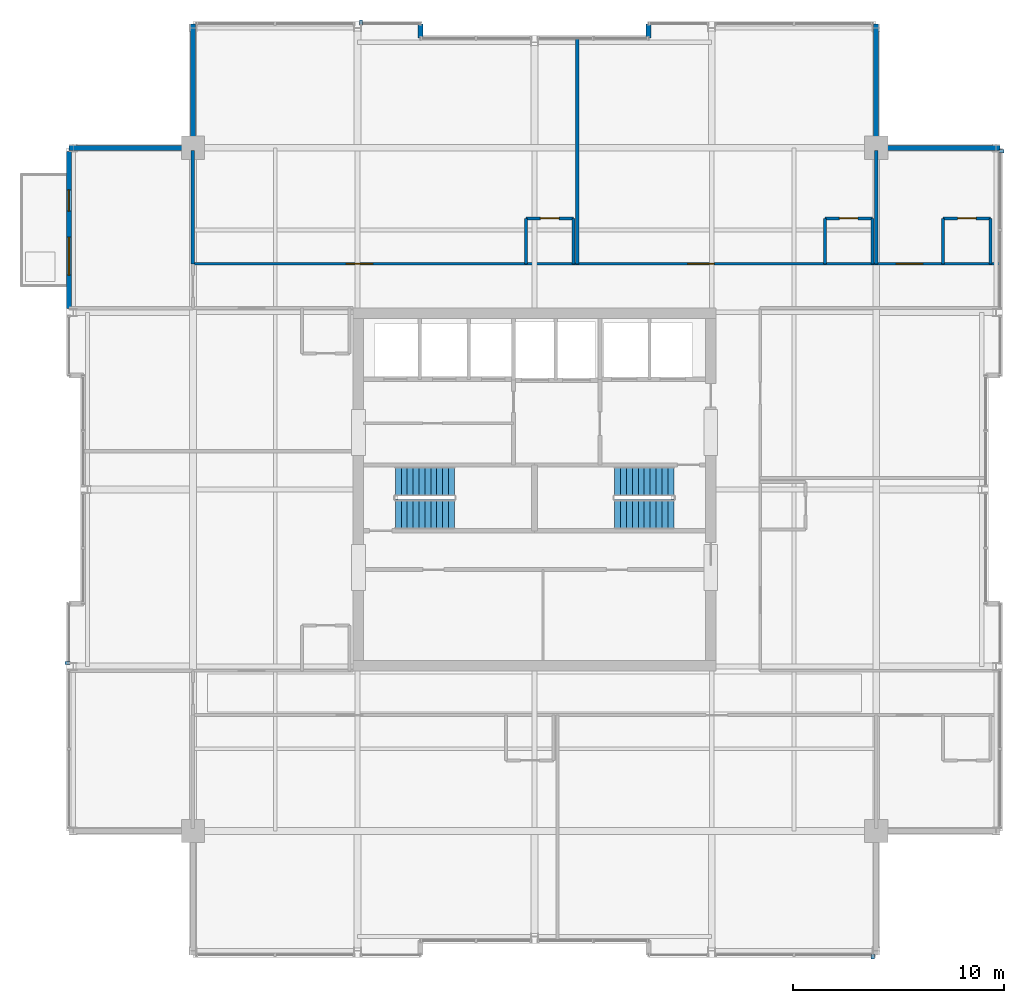
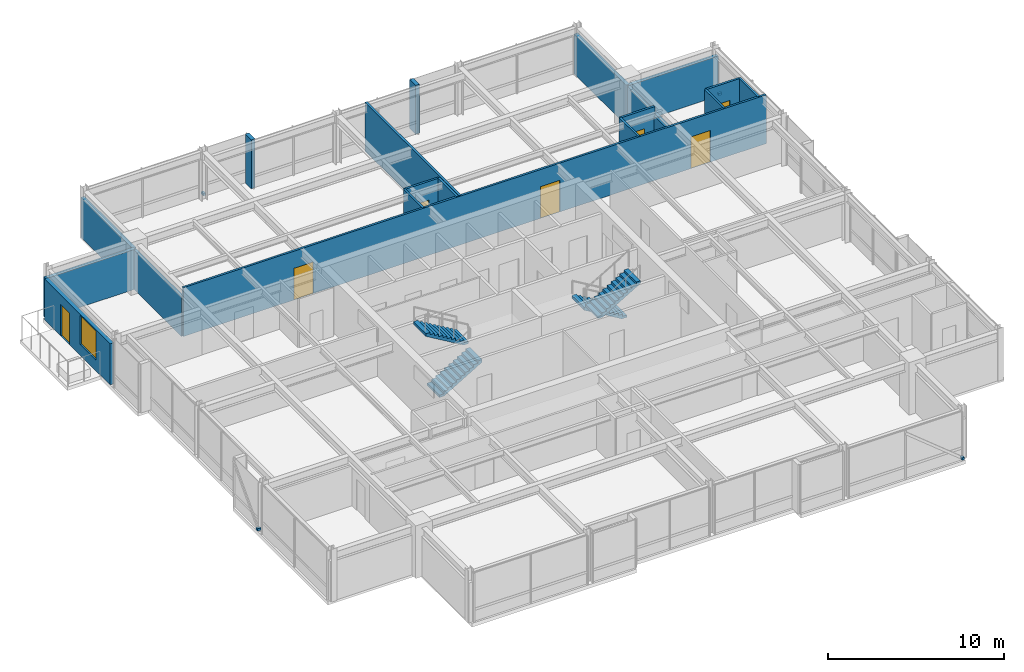
# One storey, part 30 of 33: 20 walls, 7 doors, 4 discrete accessories, 4 stair flights, 1 window, 8 openings, 2 elements without a shape of their own.
"""IFC4 building model written with IfcOpenShell, lengths in metres."""

from ifc_helpers import new_model, si_unit, direction, frame, frame_2d, origin, origin_2d, place, context, subcontext, project, spatial, polyline, rectangle, outline, extrude, material, layer, layer_set, type_object, element, fill, aggregate, save


model = new_model("IFC4")

# Units and contexts
model_context = context("Model", 3, precision=1e-05, world=origin(), true_north=direction((0.0, 1.0)))
body_context = subcontext(model_context, "Body", "Model", "MODEL_VIEW")
ifc_project = project(units=[si_unit("LENGTHUNIT", "METRE"), si_unit("AREAUNIT", "SQUARE_METRE"), si_unit("VOLUMEUNIT", "CUBIC_METRE"), si_unit("PLANEANGLEUNIT", "RADIAN"), si_unit("MASSUNIT", "GRAM", prefix="KILO")], contexts=[model_context])

# Site, building, storey
site_placement = place(None, origin())
site = spatial("IfcSite", under=ifc_project, at=site_placement, CompositionType="ELEMENT")
building_placement = place(site_placement, origin())
building = spatial("IfcBuilding", under=site, at=building_placement, Name="Drelvath Grand Hotel", CompositionType="ELEMENT")
storey_placement = place(building_placement, frame((0.0, 0.0, 275.949951171875)))
storey = spatial("IfcBuildingStorey", under=building, at=storey_placement, Name="L72", CompositionType="ELEMENT", Elevation=275.949951171875)

# Wall, openings, doors
ifc_material_1 = material(Name="Gypsum Fireboard Partition")
ifc_layer_1 = layer(ifc_material_1, 0.135009765625)
ifc_layer_set_1 = layer_set([ifc_layer_1], Name="Gypsum Fireboard Partition")
wall_type_1 = type_object("IfcWallType", Name="Corridor Fire Barrier Wall 135", PredefinedType="PARTITIONING", material=ifc_layer_set_1)
wall_1_placement = place(storey_placement, frame((-16.199951171875, 37.699951171875, 0.0), z_axis=(0.0, 0.0, 1.0), x_axis=(1.0, 0.0, 0.0)))
wall_1 = element("IfcWall", 1, at=wall_1_placement, inside=storey, type_object=wall_type_1, Name="L72 North Cross-Gallery Wall", PredefinedType="PARTITIONING", context=body_context, shape_type="SweptSolid", body=[
    extrude(rectangle(XDim=38.280029296875, YDim=0.135009765625, at=frame_2d((19.14013671875, 0.0))), origin(), (0.0, 0.0, 1.0), 3.39013671875),
])
opening_1_placement = place(wall_1_placement, frame((33.35498046875, 0.0, 0.0)))
opening_1 = element("IfcOpeningElement", 2, at=opening_1_placement, cuts=wall_1, Name="Opening D-T5G2-022", PredefinedType="OPENING", context=body_context, shape_type="SweptSolid", body=[
    extrude(rectangle(XDim=1.260009765625, YDim=2.199951171875, at=frame_2d((0.6298828125, 1.10009765625))), frame((0.0, 0.077392578125, 0.0), z_axis=(0.0, -1.0, 0.0), x_axis=(1.0, 0.0, 0.0)), (0.0, 0.0, 1.0), 0.155029296875),
])
opening_2_placement = place(wall_1_placement, frame((7.267578125, 0.0, 0.0)))
opening_2 = element("IfcOpeningElement", 3, at=opening_2_placement, cuts=wall_1, Name="Opening D-T5G2-027", PredefinedType="OPENING", context=body_context, shape_type="SweptSolid", body=[
    extrude(rectangle(XDim=1.260009765625, YDim=2.199951171875, at=frame_2d((0.6298828125, 1.10009765625))), frame((0.0, 0.077392578125, 0.0), z_axis=(0.0, -1.0, 0.0), x_axis=(1.0, 0.0, 0.0)), (0.0, 0.0, 1.0), 0.155029296875),
])
opening_3_placement = place(wall_1_placement, frame((23.467529296875, 0.0, 0.0)))
opening_3 = element("IfcOpeningElement", 4, at=opening_3_placement, cuts=wall_1, Name="Opening D-T5G2-029", PredefinedType="OPENING", context=body_context, shape_type="SweptSolid", body=[
    extrude(rectangle(XDim=1.260009765625, YDim=2.199951171875, at=frame_2d((0.6298828125, 1.10009765625))), frame((0.0, 0.077392578125, 0.0), z_axis=(0.0, -1.0, 0.0), x_axis=(1.0, 0.0, 0.0)), (0.0, 0.0, 1.0), 0.155029296875),
])
ifc_material_2 = material(Name="Hardwood Walnut Timber", Category="wood")
door_type_1 = type_object("IfcDoorType", Name="Suite Entrance Fire Door 1260x2200", OperationType="NOTDEFINED", PredefinedType="DOOR", material=ifc_material_2)
door_1_placement = place(opening_1_placement, origin())
door_1 = element("IfcDoor", 5, at=door_1_placement, inside=storey, type_object=door_type_1, Name="L72 Royal Suite Entry Door", OperationType="SINGLE_SWING_LEFT", OverallHeight=2.199951171875, OverallWidth=1.260009765625, PredefinedType="DOOR", context=body_context, shape_type="SweptSolid", body=[
    extrude(rectangle(XDim=1.260009765625, YDim=2.199951171875, at=frame_2d((0.6298828125, 1.10009765625))), frame((0.0, 0.02490234375, 0.0), z_axis=(0.0, -1.0, 0.0), x_axis=(1.0, 0.0, 0.0)), (0.0, 0.0, 1.0), 0.050048828125),
])
fill(opening_1, door_1)
door_2_placement = place(opening_2_placement, origin())
door_2 = element("IfcDoor", 6, at=door_2_placement, inside=storey, type_object=door_type_1, Name="L72 Royal Suite Entry Door", OperationType="SINGLE_SWING_RIGHT", OverallHeight=2.199951171875, OverallWidth=1.260009765625, PredefinedType="DOOR", context=body_context, shape_type="SweptSolid", body=[
    extrude(rectangle(XDim=1.260009765625, YDim=2.199951171875, at=frame_2d((0.6298828125, 1.10009765625))), frame((0.0, 0.02490234375, 0.0), z_axis=(0.0, -1.0, 0.0), x_axis=(1.0, 0.0, 0.0)), (0.0, 0.0, 1.0), 0.050048828125),
])
fill(opening_2, door_2)
door_3_placement = place(opening_3_placement, origin())
door_3 = element("IfcDoor", 7, at=door_3_placement, inside=storey, type_object=door_type_1, Name="L72 Royal Suite Entry Door", OperationType="SINGLE_SWING_RIGHT", OverallHeight=2.199951171875, OverallWidth=1.260009765625, PredefinedType="DOOR", context=body_context, shape_type="SweptSolid", body=[
    extrude(rectangle(XDim=1.260009765625, YDim=2.199951171875, at=frame_2d((0.6298828125, 1.10009765625))), frame((0.0, 0.02490234375, 0.0), z_axis=(0.0, -1.0, 0.0), x_axis=(1.0, 0.0, 0.0)), (0.0, 0.0, 1.0), 0.050048828125),
])
fill(opening_3, door_3)

# Walls
ifc_material_3 = material(Name="Moisture-Resistant Gypsum Board")
ifc_layer_2 = layer(ifc_material_3, 0.139892578125)
ifc_layer_set_2 = layer_set([ifc_layer_2], Name="Moisture-Resistant Gypsum Board")
wall_type_2 = type_object("IfcWallType", Name="En-Suite Plumbing Wall 140", PredefinedType="PLUMBINGWALL", material=ifc_layer_set_2)
for number, where, z_axis, x_axis, name in (
    (8, (19.3701171875, 37.699951171875, 0.0), (0.0, 0.0, 1.0), (0.0, 1.0, 0.0), "L72 En-Suite Left Wall"),
    (9, (21.6201171875, 37.699951171875, 0.0), (0.0, 0.0, 1.0), (0.0, 1.0, 0.0), "L72 En-Suite Right Wall"),
):
    element("IfcWall", number, at=place(storey_placement, frame(where, z_axis=z_axis, x_axis=x_axis)), inside=storey, type_object=wall_type_2, Name=name, PredefinedType="PLUMBINGWALL", context=body_context, shape_type="SweptSolid", body=[
        extrude(rectangle(XDim=2.150146484375, YDim=0.139892578125, at=frame_2d((1.0751953125, 0.0))), origin(), (0.0, 0.0, 1.0), 3.39013671875),
    ])

# Wall, opening, door
wall_2_placement = place(storey_placement, frame((19.3701171875, 39.85009765625, 0.0), z_axis=(0.0, 0.0, 1.0), x_axis=(1.0, 0.0, 0.0)))
wall_2 = element("IfcWall", 10, at=wall_2_placement, inside=storey, type_object=wall_type_2, Name="L72 En-Suite Front Wall", PredefinedType="PLUMBINGWALL", context=body_context, shape_type="SweptSolid", body=[
    extrude(rectangle(XDim=2.25, YDim=0.139892578125, at=frame_2d((1.125, 0.0))), origin(), (0.0, 0.0, 1.0), 3.39013671875),
])
opening_4_placement = place(wall_2_placement, frame((0.68505859375, 0.0, 0.0)))
opening_4 = element("IfcOpeningElement", 11, at=opening_4_placement, cuts=wall_2, Name="Opening D-T5G2-021", PredefinedType="OPENING", context=body_context, shape_type="SweptSolid", body=[
    extrude(rectangle(XDim=0.8798828125, YDim=2.10009765625, at=frame_2d((0.43994140625, 1.050048828125))), frame((0.0, 0.079833984375, 0.0), z_axis=(0.0, -1.0, 0.0), x_axis=(1.0, 0.0, 0.0)), (0.0, 0.0, 1.0), 0.159912109375),
])
door_type_2 = type_object("IfcDoorType", Name="En-Suite Bathroom Door 880x2100", OperationType="NOTDEFINED", PredefinedType="DOOR", material=ifc_material_2)
door_4_placement = place(opening_4_placement, origin())
door_4 = element("IfcDoor", 12, at=door_4_placement, inside=storey, type_object=door_type_2, Name="L72 En-Suite Bathroom Door", OperationType="SINGLE_SWING_RIGHT", OverallHeight=2.10009765625, OverallWidth=0.8798828125, PredefinedType="DOOR", context=body_context, shape_type="SweptSolid", body=[
    extrude(rectangle(XDim=0.8798828125, YDim=2.10009765625, at=frame_2d((0.43994140625, 1.050048828125))), frame((0.0, 0.02490234375, 0.0), z_axis=(0.0, -1.0, 0.0), x_axis=(1.0, 0.0, 0.0)), (0.0, 0.0, 1.0), 0.050048828125),
])
fill(opening_4, door_4)

# Walls
for number, where, z_axis, x_axis, name in (
    (13, (-0.405029296875, 37.699951171875, 0.0), (0.0, 0.0, 1.0), (0.0, 1.0, 0.0), "L72 En-Suite Left Wall"),
    (14, (1.844970703125, 37.699951171875, 0.0), (0.0, 0.0, 1.0), (0.0, 1.0, 0.0), "L72 En-Suite Right Wall"),
):
    element("IfcWall", number, at=place(storey_placement, frame(where, z_axis=z_axis, x_axis=x_axis)), inside=storey, type_object=wall_type_2, Name=name, PredefinedType="PLUMBINGWALL", context=body_context, shape_type="SweptSolid", body=[
        extrude(rectangle(XDim=2.150146484375, YDim=0.139892578125, at=frame_2d((1.0751953125, 0.0))), origin(), (0.0, 0.0, 1.0), 3.39013671875),
    ])

# Wall, opening, door
wall_3_placement = place(storey_placement, frame((-0.405029296875, 39.85009765625, 0.0), z_axis=(0.0, 0.0, 1.0), x_axis=(1.0, 0.0, 0.0)))
wall_3 = element("IfcWall", 15, at=wall_3_placement, inside=storey, type_object=wall_type_2, Name="L72 En-Suite Front Wall", PredefinedType="PLUMBINGWALL", context=body_context, shape_type="SweptSolid", body=[
    extrude(rectangle(XDim=2.25, YDim=0.139892578125, at=frame_2d((1.125, 0.0))), origin(), (0.0, 0.0, 1.0), 3.39013671875),
])
opening_5_placement = place(wall_3_placement, frame((0.68505859375, 0.0, 0.0)))
opening_5 = element("IfcOpeningElement", 16, at=opening_5_placement, cuts=wall_3, Name="Opening D-T5G2-026", PredefinedType="OPENING", context=body_context, shape_type="SweptSolid", body=[
    extrude(rectangle(XDim=0.8798828125, YDim=2.10009765625, at=frame_2d((0.43994140625, 1.050048828125))), frame((0.0, 0.079833984375, 0.0), z_axis=(0.0, -1.0, 0.0), x_axis=(1.0, 0.0, 0.0)), (0.0, 0.0, 1.0), 0.159912109375),
])
door_5_placement = place(opening_5_placement, origin())
door_5 = element("IfcDoor", 17, at=door_5_placement, inside=storey, type_object=door_type_2, Name="L72 En-Suite Bathroom Door", OperationType="SINGLE_SWING_LEFT", OverallHeight=2.10009765625, OverallWidth=0.8798828125, PredefinedType="DOOR", context=body_context, shape_type="SweptSolid", body=[
    extrude(rectangle(XDim=0.8798828125, YDim=2.10009765625, at=frame_2d((0.43994140625, 1.050048828125))), frame((0.0, 0.02490234375, 0.0), z_axis=(0.0, -1.0, 0.0), x_axis=(1.0, 0.0, 0.0)), (0.0, 0.0, 1.0), 0.050048828125),
])
fill(opening_5, door_5)

# Walls
wall_4_placement = place(storey_placement, frame((13.77001953125, 37.699951171875, 0.0), z_axis=(0.0, 0.0, 1.0), x_axis=(0.0, 1.0, 0.0)))
element("IfcWall", 18, at=wall_4_placement, inside=storey, type_object=wall_type_2, Name="L72 En-Suite Left Wall", PredefinedType="PLUMBINGWALL", context=body_context, shape_type="SweptSolid", body=[
    extrude(rectangle(XDim=2.150146484375, YDim=0.139892578125, at=frame_2d((1.0751953125, 0.0))), origin(), (0.0, 0.0, 1.0), 3.39013671875),
])
wall_5_placement = place(storey_placement, frame((16.02001953125, 37.699951171875, 0.0), z_axis=(0.0, 0.0, 1.0), x_axis=(0.0, 1.0, 0.0)))
element("IfcWall", 19, at=wall_5_placement, inside=storey, type_object=wall_type_2, Name="L72 En-Suite Right Wall", PredefinedType="PLUMBINGWALL", context=body_context, shape_type="SweptSolid", body=[
    extrude(rectangle(XDim=2.150146484375, YDim=0.139892578125, at=frame_2d((1.0751953125, 0.0))), origin(), (0.0, 0.0, 1.0), 2.763916015625),
])

# Wall, opening, door
wall_6_placement = place(storey_placement, frame((13.77001953125, 39.85009765625, 0.0), z_axis=(0.0, 0.0, 1.0), x_axis=(1.0, 0.0, 0.0)))
wall_6 = element("IfcWall", 20, at=wall_6_placement, inside=storey, type_object=wall_type_2, Name="L72 En-Suite Front Wall", PredefinedType="PLUMBINGWALL", context=body_context, shape_type="SweptSolid", body=[
    extrude(rectangle(XDim=2.25, YDim=0.139892578125, at=frame_2d((1.125, 0.0))), origin(), (0.0, 0.0, 1.0), 3.39013671875),
])
opening_6_placement = place(wall_6_placement, frame((0.68505859375, 0.0, 0.0)))
opening_6 = element("IfcOpeningElement", 21, at=opening_6_placement, cuts=wall_6, Name="Opening D-T5G2-028", PredefinedType="OPENING", context=body_context, shape_type="SweptSolid", body=[
    extrude(rectangle(XDim=0.8798828125, YDim=2.10009765625, at=frame_2d((0.43994140625, 1.050048828125))), frame((0.0, 0.079833984375, 0.0), z_axis=(0.0, -1.0, 0.0), x_axis=(1.0, 0.0, 0.0)), (0.0, 0.0, 1.0), 0.159912109375),
])
door_6_placement = place(opening_6_placement, origin())
door_6 = element("IfcDoor", 22, at=door_6_placement, inside=storey, type_object=door_type_2, Name="L72 En-Suite Bathroom Door", OperationType="SINGLE_SWING_LEFT", OverallHeight=2.10009765625, OverallWidth=0.8798828125, PredefinedType="DOOR", context=body_context, shape_type="SweptSolid", body=[
    extrude(rectangle(XDim=0.8798828125, YDim=2.10009765625, at=frame_2d((0.43994140625, 1.050048828125))), frame((0.0, 0.02490234375, 0.0), z_axis=(0.0, -1.0, 0.0), x_axis=(1.0, 0.0, 0.0)), (0.0, 0.0, 1.0), 0.050048828125),
])
fill(opening_6, door_6)

# Walls
ifc_material_4 = material(Name="Gypsum Acoustic Partition")
ifc_layer_3 = layer(ifc_material_4, 0.14990234375)
ifc_layer_set_3 = layer_set([ifc_layer_3], Name="Gypsum Acoustic Partition")
wall_type_3 = type_object("IfcWallType", Name="Guestroom Demising Wall 150", PredefinedType="PARTITIONING", material=ifc_layer_set_3)
wall_7_placement = place(storey_placement, frame((2.02490234375, 37.699951171875, 0.0), z_axis=(0.0, 0.0, 1.0), x_axis=(0.0, 1.0, 0.0)))
element("IfcWall", 23, at=wall_7_placement, inside=storey, type_object=wall_type_3, Name="L72 North Demising 1", PredefinedType="PARTITIONING", context=body_context, shape_type="SweptSolid", body=[
    extrude(rectangle(XDim=10.699951171875, YDim=0.14990234375, at=frame_2d((5.35009765625, 0.0))), origin(), (0.0, 0.0, 1.0), 3.39013671875),
])
ifc_layer_4 = layer(ifc_material_4, 0.1650390625)
ifc_layer_set_4 = layer_set([ifc_layer_4], Name="Gypsum Acoustic Partition")
wall_type_4 = type_object("IfcWallType", Name="Suite Demising Wall 165", PredefinedType="PARTITIONING", material=ifc_layer_set_4)
for number, where, z_axis, x_axis, name in (
    (24, (-16.199951171875, 37.699951171875, 0.0), (0.0, 0.0, 1.0), (0.0, 1.0, 0.0), "L72 NW Suite Wall"),
    (25, (16.199951171875, 37.699951171875, 0.0), (0.0, 0.0, 1.0), (0.0, 1.0, 0.0), "L72 NE Suite Wall"),
):
    element("IfcWall", number, at=place(storey_placement, frame(where, z_axis=z_axis, x_axis=x_axis)), inside=storey, type_object=wall_type_4, Name=name, PredefinedType="PARTITIONING", context=body_context, shape_type="SweptSolid", body=[
        extrude(rectangle(XDim=5.380126953125, YDim=0.1650390625, at=frame_2d((2.68994140625, 0.0))), origin(), (0.0, 0.0, 1.0), 2.763916015625),
    ])

# Wall, openings, window, door
ifc_material_5 = material(Name="Pale-Metal Insulated Aluminium Spandrel Assembly", Category="aluminium")
ifc_layer_5 = layer(ifc_material_5, 0.239990234375)
ifc_layer_set_5 = layer_set([ifc_layer_5], Name="Pale-Metal Insulated Aluminium Spandrel Assembly")
wall_type_5 = type_object("IfcWallType", Name="Tower Insulated Metal Spandrel Closure Wall 240", PredefinedType="STANDARD", material=ifc_layer_set_5)
wall_8_placement = place(storey_placement, frame((-22.080078125, 35.570068359375, 0.0), z_axis=(0.0, 0.0, 1.0), x_axis=(0.0, 1.0, 0.0)))
wall_8 = element("IfcWall", 26, at=wall_8_placement, inside=storey, type_object=wall_type_5, Name="L72 Exterior Terrace Door Bay Wall WN2", PredefinedType="STANDARD", context=body_context, shape_type="SweptSolid", body=[
    extrude(rectangle(XDim=7.4599609375, YDim=0.239990234375, at=frame_2d((3.72998046875, 0.0))), origin(), (0.0, 0.0, 1.0), 2.853271484375),
])
opening_7_placement = place(wall_8_placement, frame((4.6298828125, 0.0, 0.0)))
opening_7 = element("IfcOpeningElement", 27, at=opening_7_placement, cuts=wall_8, Name="Opening TD-1000", PredefinedType="OPENING", context=body_context, shape_type="SweptSolid", body=[
    extrude(rectangle(XDim=1.0, YDim=2.199951171875, at=frame_2d((0.5, 1.10009765625))), frame((0.0, 0.1298828125, 0.0), z_axis=(0.0, -1.0, 0.0), x_axis=(1.0, 0.0, 0.0)), (0.0, 0.0, 1.0), 0.260009765625),
])
opening_8_placement = place(wall_8_placement, frame((1.591552734375, 0.0, 0.75)))
opening_8 = element("IfcOpeningElement", 28, at=opening_8_placement, cuts=wall_8, Name="Opening W-02", PredefinedType="OPENING", context=body_context, shape_type="SweptSolid", body=[
    extrude(rectangle(XDim=1.800048828125, YDim=2.003173828125, at=frame_2d((0.89990234375, 1.00146484375))), frame((0.0, 0.1298828125, 0.0), z_axis=(0.0, -1.0, 0.0), x_axis=(1.0, 0.0, 0.0)), (0.0, 0.0, 1.0), 0.260009765625),
])
ifc_material_6 = material(Name="Bronze Anodised Low-E Triple Glazing", Category="glass")
window_type = type_object("IfcWindowType", Name="Chicago Double-Pane Podium Window 1800x2400", PartitioningType="DOUBLE_PANEL_VERTICAL", PredefinedType="WINDOW", material=ifc_material_6)
window_placement = place(opening_8_placement, origin())
window = element("IfcWindow", 29, at=window_placement, inside=storey, type_object=window_type, Name="L72 Terrace Bay Companion Window WN2", OverallHeight=2.003173828125, OverallWidth=1.800048828125, PartitioningType="SINGLE_PANEL", PredefinedType="WINDOW", context=body_context, shape_type="SweptSolid", body=[
    extrude(rectangle(XDim=1.800048828125, YDim=2.003173828125, at=frame_2d((0.89990234375, 1.00146484375))), frame((0.0, 0.030029296875, 0.0), z_axis=(0.0, -1.0, 0.0), x_axis=(1.0, 0.0, 0.0)), (0.0, 0.0, 1.0), 0.06005859375),
])
fill(opening_8, window)
ifc_material_7 = material(Name="Anodised Aluminium Thermally Broken Glazed Door", Category="aluminium")
door_type_3 = type_object("IfcDoorType", Name="Terrace and Tree Balcony Glazed Door 1000x2200", OperationType="NOTDEFINED", PredefinedType="DOOR", material=ifc_material_7)
door_7_placement = place(opening_7_placement, origin())
door_7 = element("IfcDoor", 30, at=door_7_placement, inside=storey, type_object=door_type_3, Name="L72 Tree Balcony Door DOOR-L72-TBAL-1", OperationType="SINGLE_SWING_RIGHT", OverallHeight=2.199951171875, OverallWidth=1.0, PredefinedType="DOOR", context=body_context, shape_type="SweptSolid", body=[
    extrude(rectangle(XDim=1.0, YDim=2.199951171875, at=frame_2d((0.5, 1.10009765625))), frame((0.0, 0.02490234375, 0.0), z_axis=(0.0, -1.0, 0.0), x_axis=(1.0, 0.0, 0.0)), (0.0, 0.0, 1.0), 0.050048828125),
])
fill(opening_7, door_7)

# Walls
for number, where, z_axis, x_axis, name in (
    (31, (-22.080078125, 43.199951171875, 0.0), (0.0, 0.0, 1.0), (1.0, 0.0, 0.0), "L72 Notched Corner Return Spandrel Wall CNW1"),
    (32, (-16.199951171875, 43.199951171875, 0.0), (0.0, 0.0, 1.0), (0.0, 1.0, 0.0), "L72 Notched Corner Return Spandrel Wall CNW2"),
    (33, (16.199951171875, 49.080078125, 0.0), (0.0, 0.0, 1.0), (0.0, -1.0, 0.0), "L72 Notched Corner Return Spandrel Wall CNE1"),
    (34, (16.199951171875, 43.199951171875, 0.0), (0.0, 0.0, 1.0), (1.0, 0.0, 0.0), "L72 Notched Corner Return Spandrel Wall CNE2"),
):
    element("IfcWall", number, at=place(storey_placement, frame(where, z_axis=z_axis, x_axis=x_axis)), inside=storey, type_object=wall_type_5, Name=name, PredefinedType="STANDARD", context=body_context, shape_type="SweptSolid", body=[
        extrude(rectangle(XDim=5.880126953125, YDim=0.239990234375, at=frame_2d((2.93994140625, 0.0))), origin(), (0.0, 0.0, 1.0), 2.779052734375),
    ])
for number, where, z_axis, x_axis, name in (
    (35, (-5.39990234375, 49.080078125, 0.0), (0.0, 0.0, 1.0), (0.0, -1.0, 0.0), "L72 Notched Corner Return Spandrel Wall RN1"),
    (36, (5.39990234375, 48.39990234375, 0.0), (0.0, 0.0, 1.0), (0.0, 1.0, 0.0), "L72 Notched Corner Return Spandrel Wall RN2"),
):
    element("IfcWall", number, at=place(storey_placement, frame(where, z_axis=z_axis, x_axis=x_axis)), inside=storey, type_object=wall_type_5, Name=name, PredefinedType="STANDARD", context=body_context, shape_type="SweptSolid", body=[
        extrude(rectangle(XDim=0.68017578125, YDim=0.239990234375, at=frame_2d((0.340087890625, 0.0))), origin(), (0.0, 0.0, 1.0), 3.39013671875),
    ])

# Stair, stair flights
ifc_material_8 = material(Name="Concrete C40/50", Category="concrete")
stair_type = type_object("IfcStairType", Name="Dogleg Exit Stair W1400-R165.9", PredefinedType="HALF_TURN_STAIR", material=ifc_material_8)
stair_1_placement = place(storey_placement, origin())
stair_1 = element("IfcStair", 37, at=stair_1_placement, inside=storey, type_object=stair_type, Name="L72 Core Exit Stair ST-1", PredefinedType="HALF_TURN_STAIR")
stair_flight_type = type_object("IfcStairFlightType", Name="Concrete Stair Flight W1400-R165.9", PredefinedType="STRAIGHT", material=ifc_material_8)
stair_flight_1_placement = place(storey_placement, frame((-6.60009765625, 25.820068359375, 0.0), z_axis=(0.0, 0.0, 1.0), x_axis=(1.0, 0.0, 0.0)))
stair_flight_1 = element("IfcStairFlight", 38, at=stair_flight_1_placement, type_object=stair_flight_type, Name="ST-1 flight 1", NumberOfRisers=11, NumberOfTreads=10, PredefinedType="STRAIGHT", RiserHeight=0.165909091, TreadLength=0.28, context=body_context, shape_type="SweptSolid", body=[
    extrude(outline(polyline([(0.0, 0.0), (0.0, 0.166015625), (0.280029296875, 0.166015625), (0.280029296875, 0.331787109375), (0.56005859375, 0.331787109375), (0.56005859375, 0.497802734375), (0.840087890625, 0.497802734375), (0.840087890625, 0.66357421875), (1.1201171875, 0.66357421875), (1.1201171875, 0.82958984375), (1.39990234375, 0.82958984375), (1.39990234375, 0.995361328125), (1.679931640625, 0.995361328125), (1.679931640625, 1.161376953125), (1.9599609375, 1.161376953125), (1.9599609375, 1.327392578125), (2.239990234375, 1.327392578125), (2.239990234375, 1.4931640625), (2.52001953125, 1.4931640625), (2.52001953125, 1.6591796875), (2.800048828125, 1.6591796875), (2.800048828125, 1.824951171875), (2.800048828125, 1.47314453125), (0.313720703125, 0.0), (0.0, 0.0)])), frame((0.0, 0.699951171875, 0.0), z_axis=(0.0, -1.0, 0.0), x_axis=(1.0, 0.0, 0.0)), (0.0, 0.0, 1.0), 1.39990234375),
])
stair_flight_2_placement = place(storey_placement, frame((-3.800048828125, 27.3798828125, 1.824951171875), z_axis=(0.0, 0.0, 1.0), x_axis=(-1.0, 0.0, 0.0)))
stair_flight_2 = element("IfcStairFlight", 39, at=stair_flight_2_placement, type_object=stair_flight_type, Name="ST-1 flight 2", NumberOfRisers=11, NumberOfTreads=10, PredefinedType="STRAIGHT", RiserHeight=0.165909091, TreadLength=0.28, context=body_context, shape_type="SweptSolid", body=[
    extrude(outline(polyline([(0.0, 0.0), (0.0, 0.166015625), (0.280029296875, 0.166015625), (0.280029296875, 0.331787109375), (0.56005859375, 0.331787109375), (0.56005859375, 0.497802734375), (0.840087890625, 0.497802734375), (0.840087890625, 0.66357421875), (1.1201171875, 0.66357421875), (1.1201171875, 0.82958984375), (1.39990234375, 0.82958984375), (1.39990234375, 0.995361328125), (1.679931640625, 0.995361328125), (1.679931640625, 1.161376953125), (1.9599609375, 1.161376953125), (1.9599609375, 1.327392578125), (2.239990234375, 1.327392578125), (2.239990234375, 1.4931640625), (2.52001953125, 1.4931640625), (2.52001953125, 1.6591796875), (2.800048828125, 1.6591796875), (2.800048828125, 1.824951171875), (2.800048828125, 1.47314453125), (0.313720703125, 0.0), (0.0, 0.0)])), frame((0.0, 0.699951171875, 0.0), z_axis=(0.0, -1.0, 0.0), x_axis=(1.0, 0.0, 0.0)), (0.0, 0.0, 1.0), 1.39990234375),
])
aggregate(stair_1, [stair_flight_1, stair_flight_2])

stair_2_placement = place(storey_placement, origin())
stair_2 = element("IfcStair", 40, at=stair_2_placement, inside=storey, type_object=stair_type, Name="L72 Core Exit Stair ST-2", PredefinedType="HALF_TURN_STAIR")
stair_flight_3_placement = place(storey_placement, frame((6.60009765625, 27.3798828125, 0.0), z_axis=(0.0, 0.0, 1.0), x_axis=(-1.0, 0.0, 0.0)))
stair_flight_3 = element("IfcStairFlight", 41, at=stair_flight_3_placement, type_object=stair_flight_type, Name="ST-2 flight 1", NumberOfRisers=11, NumberOfTreads=10, PredefinedType="STRAIGHT", RiserHeight=0.165909091, TreadLength=0.28, context=body_context, shape_type="SweptSolid", body=[
    extrude(outline(polyline([(0.0, 0.0), (0.0, 0.166015625), (0.280029296875, 0.166015625), (0.280029296875, 0.331787109375), (0.56005859375, 0.331787109375), (0.56005859375, 0.497802734375), (0.840087890625, 0.497802734375), (0.840087890625, 0.66357421875), (1.1201171875, 0.66357421875), (1.1201171875, 0.82958984375), (1.39990234375, 0.82958984375), (1.39990234375, 0.995361328125), (1.679931640625, 0.995361328125), (1.679931640625, 1.161376953125), (1.9599609375, 1.161376953125), (1.9599609375, 1.327392578125), (2.239990234375, 1.327392578125), (2.239990234375, 1.4931640625), (2.52001953125, 1.4931640625), (2.52001953125, 1.6591796875), (2.800048828125, 1.6591796875), (2.800048828125, 1.824951171875), (2.800048828125, 1.47314453125), (0.313720703125, 0.0), (0.0, 0.0)])), frame((0.0, 0.699951171875, 0.0), z_axis=(0.0, -1.0, 0.0), x_axis=(1.0, 0.0, 0.0)), (0.0, 0.0, 1.0), 1.39990234375),
])
stair_flight_4_placement = place(storey_placement, frame((3.800048828125, 25.820068359375, 1.824951171875), z_axis=(0.0, 0.0, 1.0), x_axis=(1.0, 0.0, 0.0)))
stair_flight_4 = element("IfcStairFlight", 42, at=stair_flight_4_placement, type_object=stair_flight_type, Name="ST-2 flight 2", NumberOfRisers=11, NumberOfTreads=10, PredefinedType="STRAIGHT", RiserHeight=0.165909091, TreadLength=0.28, context=body_context, shape_type="SweptSolid", body=[
    extrude(outline(polyline([(0.0, 0.0), (0.0, 0.166015625), (0.280029296875, 0.166015625), (0.280029296875, 0.331787109375), (0.56005859375, 0.331787109375), (0.56005859375, 0.497802734375), (0.840087890625, 0.497802734375), (0.840087890625, 0.66357421875), (1.1201171875, 0.66357421875), (1.1201171875, 0.82958984375), (1.39990234375, 0.82958984375), (1.39990234375, 0.995361328125), (1.679931640625, 0.995361328125), (1.679931640625, 1.161376953125), (1.9599609375, 1.161376953125), (1.9599609375, 1.327392578125), (2.239990234375, 1.327392578125), (2.239990234375, 1.4931640625), (2.52001953125, 1.4931640625), (2.52001953125, 1.6591796875), (2.800048828125, 1.6591796875), (2.800048828125, 1.824951171875), (2.800048828125, 1.47314453125), (0.313720703125, 0.0), (0.0, 0.0)])), frame((0.0, 0.699951171875, 0.0), z_axis=(0.0, -1.0, 0.0), x_axis=(1.0, 0.0, 0.0)), (0.0, 0.0, 1.0), 1.39990234375),
])
aggregate(stair_2, [stair_flight_3, stair_flight_4])

# Discrete accessories
ifc_material_9 = material(Name="Stainless Steel Grade 316", Category="steel")
discrete_accessory_type = type_object("IfcDiscreteAccessoryType", Name="Curtain Wall Fin Mounting Bracket Cleat", PredefinedType="BRACKET", material=ifc_material_9)
for number, where, z_axis, x_axis, name in (
    (43, (-22.139892578125, 18.77001953125, 0.10009765625), (0.0, 0.0, 1.0), (0.0, 1.0, 0.0), "L72 Fin Mounting Bracket CW05-L72-WS2-1"),
    (44, (22.139892578125, 43.030029296875, 0.10009765625), (0.0, 0.0, 1.0), (0.0, -1.0, 0.0), "L72 Fin Mounting Bracket CW05-L72-EN2-1"),
    (45, (-8.22998046875, 49.139892578125, 0.10009765625), (0.0, 0.0, 1.0), (1.0, 0.0, 0.0), "L72 Fin Mounting Bracket CW05-L72-NW2-1"),
    (46, (16.02978515625, 4.860107421875, 0.10009765625), (0.0, 0.0, 1.0), (-1.0, 0.0, 0.0), "L72 Fin Mounting Bracket CW05-L72-SE2-1"),
):
    element("IfcDiscreteAccessory", number, at=place(storey_placement, frame(where, z_axis=z_axis, x_axis=x_axis)), inside=storey, type_object=discrete_accessory_type, Name=name, PredefinedType="BRACKET", context=body_context, shape_type="SweptSolid", body=[
        extrude(rectangle(XDim=0.159912109375, YDim=0.239990234375, at=origin_2d()), origin(), (0.0, 0.0, 1.0), 0.159912109375),
    ])

save(model, "model.ifc")
